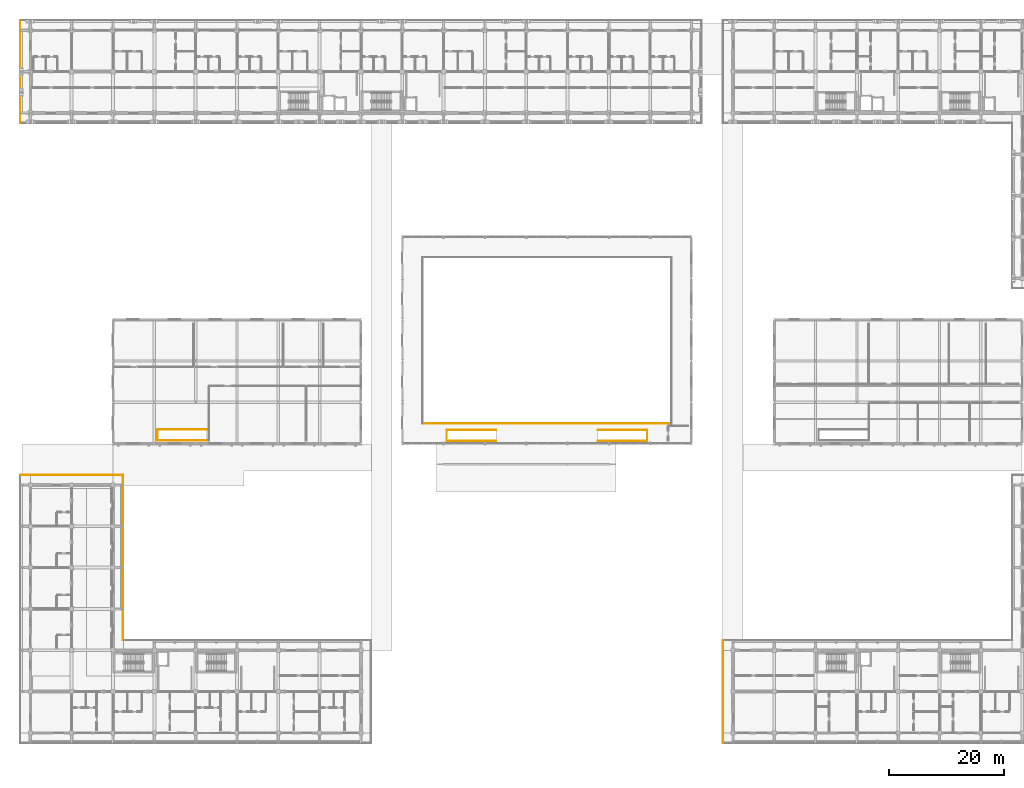
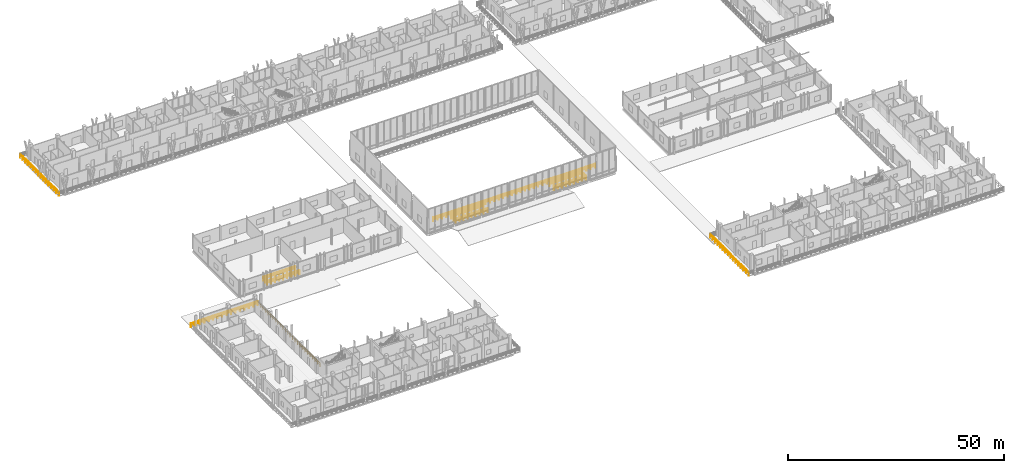
# One storey, part 96 of 110: 14 railings.
"""IFC4 building model written with IfcOpenShell, lengths in metres."""

from ifc_helpers import new_model, si_unit, direction, frame, origin, origin_2d, place, context, subcontext, project, spatial, rectangle, extrude, material, type_object, element, save


model = new_model("IFC4")

# Units and contexts
model_context = context("Model", 3, precision=1e-05, world=origin(), true_north=direction((0.0, 1.0)))
body_context = subcontext(model_context, "Body", "Model", "MODEL_VIEW")
ifc_project = project(units=[si_unit("LENGTHUNIT", "METRE"), si_unit("AREAUNIT", "SQUARE_METRE"), si_unit("VOLUMEUNIT", "CUBIC_METRE"), si_unit("PLANEANGLEUNIT", "RADIAN"), si_unit("MASSUNIT", "GRAM", prefix="KILO")], contexts=[model_context])

# Site, building, storey
site_placement = place(None, origin())
site = spatial("IfcSite", under=ifc_project, at=site_placement, CompositionType="ELEMENT")
building_placement = place(site_placement, origin())
building = spatial("IfcBuilding", under=site, at=building_placement, Name="Suanplinth Sawtooth Commons", CompositionType="ELEMENT")
storey_placement = place(building_placement, frame((0.0, 0.0, 4.5)))
storey = spatial("IfcBuildingStorey", under=building, at=storey_placement, Name="L01", CompositionType="ELEMENT", Elevation=4.5)

# Railings
ifc_material_1 = material(Name="Powder-coated galvanized steel", Category="steel")
railing_type_1 = type_object("IfcRailingType", Name="GR-01", PredefinedType="BALUSTRADE", material=ifc_material_1)
railing_1_placement = place(storey_placement, frame((-1.739990234375, 106.260009765625, 0.0)))
element("IfcRailing", 1, at=railing_1_placement, inside=storey, type_object=railing_type_1, Name="L01 Block A Perimeter Balustrade 1", PredefinedType="BALUSTRADE", context=body_context, shape_type="SweptSolid", body=[
    extrude(rectangle(XDim=0.048095703125, YDim=0.048095703125, at=origin_2d()), frame((0.0, 0.0, 1.09619140625), z_axis=(0.0, 1.0, 0.0), x_axis=(-1.0, 0.0, 0.0)), (0.0, 0.0, 1.0), 17.8798828125),
    extrude(rectangle(XDim=0.03369140625, YDim=0.03369140625, at=origin_2d()), frame((0.0, 0.0, 0.56005859375), z_axis=(0.0, 1.0, 0.0), x_axis=(-1.0, 0.0, 0.0)), (0.0, 0.0, 1.0), 17.8798828125),
    extrude(rectangle(XDim=0.0419921875, YDim=0.0419921875, at=origin_2d()), origin(), (0.0, 0.0, 1.0), 1.072021484375),
    extrude(rectangle(XDim=0.0419921875, YDim=0.0419921875, at=origin_2d()), frame((0.0, 1.19189453125, 0.0)), (0.0, 0.0, 1.0), 1.072021484375),
    extrude(rectangle(XDim=0.0419921875, YDim=0.0419921875, at=origin_2d()), frame((0.0, 2.384033203125, 0.0)), (0.0, 0.0, 1.0), 1.072021484375),
    extrude(rectangle(XDim=0.0419921875, YDim=0.0419921875, at=origin_2d()), frame((0.0, 3.575927734375, 0.0)), (0.0, 0.0, 1.0), 1.072021484375),
    extrude(rectangle(XDim=0.0419921875, YDim=0.0419921875, at=origin_2d()), frame((0.0, 4.76806640625, 0.0)), (0.0, 0.0, 1.0), 1.072021484375),
    extrude(rectangle(XDim=0.0419921875, YDim=0.0419921875, at=origin_2d()), frame((0.0, 5.9599609375, 0.0)), (0.0, 0.0, 1.0), 1.072021484375),
    extrude(rectangle(XDim=0.0419921875, YDim=0.0419921875, at=origin_2d()), frame((0.0, 7.15185546875, 0.0)), (0.0, 0.0, 1.0), 1.072021484375),
    extrude(rectangle(XDim=0.0419921875, YDim=0.0419921875, at=origin_2d()), frame((0.0, 8.343994140625, 0.0)), (0.0, 0.0, 1.0), 1.072021484375),
    extrude(rectangle(XDim=0.0419921875, YDim=0.0419921875, at=origin_2d()), frame((0.0, 9.535888671875, 0.0)), (0.0, 0.0, 1.0), 1.072021484375),
    extrude(rectangle(XDim=0.0419921875, YDim=0.0419921875, at=origin_2d()), frame((0.0, 10.72802734375, 0.0)), (0.0, 0.0, 1.0), 1.072021484375),
    extrude(rectangle(XDim=0.0419921875, YDim=0.0419921875, at=origin_2d()), frame((0.0, 11.919921875, 0.0)), (0.0, 0.0, 1.0), 1.072021484375),
    extrude(rectangle(XDim=0.0419921875, YDim=0.0419921875, at=origin_2d()), frame((0.0, 13.11181640625, 0.0)), (0.0, 0.0, 1.0), 1.072021484375),
    extrude(rectangle(XDim=0.0419921875, YDim=0.0419921875, at=origin_2d()), frame((0.0, 14.303955078125, 0.0)), (0.0, 0.0, 1.0), 1.072021484375),
    extrude(rectangle(XDim=0.0419921875, YDim=0.0419921875, at=origin_2d()), frame((0.0, 15.495849609375, 0.0)), (0.0, 0.0, 1.0), 1.072021484375),
    extrude(rectangle(XDim=0.0419921875, YDim=0.0419921875, at=origin_2d()), frame((0.0, 16.68798828125, 0.0)), (0.0, 0.0, 1.0), 1.072021484375),
    extrude(rectangle(XDim=0.0419921875, YDim=0.0419921875, at=origin_2d()), frame((0.0, 17.8798828125, 0.0)), (0.0, 0.0, 1.0), 1.072021484375),
])
railing_2_placement = place(storey_placement, frame((120.659912109375, -1.739990234375, 0.0)))
element("IfcRailing", 2, at=railing_2_placement, inside=storey, type_object=railing_type_1, Name="L01 Block C Perimeter Balustrade 1", PredefinedType="BALUSTRADE", context=body_context, shape_type="SweptSolid", body=[
    extrude(rectangle(XDim=0.048095703125, YDim=0.048095703125, at=origin_2d()), frame((0.0, 0.0, 1.09619140625), z_axis=(0.0, 1.0, 0.0), x_axis=(-1.0, 0.0, 0.0)), (0.0, 0.0, 1.0), 17.8798828125),
    extrude(rectangle(XDim=0.03369140625, YDim=0.03369140625, at=origin_2d()), frame((0.0, 0.0, 0.56005859375), z_axis=(0.0, 1.0, 0.0), x_axis=(-1.0, 0.0, 0.0)), (0.0, 0.0, 1.0), 17.8798828125),
    extrude(rectangle(XDim=0.0419921875, YDim=0.0419921875, at=origin_2d()), origin(), (0.0, 0.0, 1.0), 1.072021484375),
    extrude(rectangle(XDim=0.0419921875, YDim=0.0419921875, at=origin_2d()), frame((0.0, 1.19189453125, 0.0)), (0.0, 0.0, 1.0), 1.072021484375),
    extrude(rectangle(XDim=0.0419921875, YDim=0.0419921875, at=origin_2d()), frame((0.0, 2.384033203125, 0.0)), (0.0, 0.0, 1.0), 1.072021484375),
    extrude(rectangle(XDim=0.0419921875, YDim=0.0419921875, at=origin_2d()), frame((0.0, 3.575927734375, 0.0)), (0.0, 0.0, 1.0), 1.072021484375),
    extrude(rectangle(XDim=0.0419921875, YDim=0.0419921875, at=origin_2d()), frame((0.0, 4.76806640625, 0.0)), (0.0, 0.0, 1.0), 1.072021484375),
    extrude(rectangle(XDim=0.0419921875, YDim=0.0419921875, at=origin_2d()), frame((0.0, 5.9599609375, 0.0)), (0.0, 0.0, 1.0), 1.072021484375),
    extrude(rectangle(XDim=0.0419921875, YDim=0.0419921875, at=origin_2d()), frame((0.0, 7.15185546875, 0.0)), (0.0, 0.0, 1.0), 1.072021484375),
    extrude(rectangle(XDim=0.0419921875, YDim=0.0419921875, at=origin_2d()), frame((0.0, 8.343994140625, 0.0)), (0.0, 0.0, 1.0), 1.072021484375),
    extrude(rectangle(XDim=0.0419921875, YDim=0.0419921875, at=origin_2d()), frame((0.0, 9.535888671875, 0.0)), (0.0, 0.0, 1.0), 1.072021484375),
    extrude(rectangle(XDim=0.0419921875, YDim=0.0419921875, at=origin_2d()), frame((0.0, 10.72802734375, 0.0)), (0.0, 0.0, 1.0), 1.072021484375),
    extrude(rectangle(XDim=0.0419921875, YDim=0.0419921875, at=origin_2d()), frame((0.0, 11.919921875, 0.0)), (0.0, 0.0, 1.0), 1.072021484375),
    extrude(rectangle(XDim=0.0419921875, YDim=0.0419921875, at=origin_2d()), frame((0.0, 13.11181640625, 0.0)), (0.0, 0.0, 1.0), 1.072021484375),
    extrude(rectangle(XDim=0.0419921875, YDim=0.0419921875, at=origin_2d()), frame((0.0, 14.303955078125, 0.0)), (0.0, 0.0, 1.0), 1.072021484375),
    extrude(rectangle(XDim=0.0419921875, YDim=0.0419921875, at=origin_2d()), frame((0.0, 15.495849609375, 0.0)), (0.0, 0.0, 1.0), 1.072021484375),
    extrude(rectangle(XDim=0.0419921875, YDim=0.0419921875, at=origin_2d()), frame((0.0, 16.68798828125, 0.0)), (0.0, 0.0, 1.0), 1.072021484375),
    extrude(rectangle(XDim=0.0419921875, YDim=0.0419921875, at=origin_2d()), frame((0.0, 17.8798828125, 0.0)), (0.0, 0.0, 1.0), 1.072021484375),
])
railing_3_placement = place(storey_placement, frame((-1.739990234375, 44.93994140625, 0.0)))
element("IfcRailing", 3, at=railing_3_placement, inside=storey, type_object=railing_type_1, Name="L01 Block D Perimeter Balustrade 2", PredefinedType="BALUSTRADE", context=body_context, shape_type="SweptSolid", body=[
    extrude(rectangle(XDim=0.048095703125, YDim=0.048095703125, at=origin_2d()), frame((0.0, 0.0, 1.09619140625), z_axis=(1.0, 0.0, 0.0), x_axis=(0.0, 1.0, 0.0)), (0.0, 0.0, 1.0), 17.8798828125),
    extrude(rectangle(XDim=0.03369140625, YDim=0.03369140625, at=origin_2d()), frame((0.0, 0.0, 0.56005859375), z_axis=(1.0, 0.0, 0.0), x_axis=(0.0, 1.0, 0.0)), (0.0, 0.0, 1.0), 17.8798828125),
    extrude(rectangle(XDim=0.0419921875, YDim=0.0419921875, at=origin_2d()), origin(), (0.0, 0.0, 1.0), 1.072021484375),
    extrude(rectangle(XDim=0.0419921875, YDim=0.0419921875, at=origin_2d()), frame((1.19189453125, 0.0, 0.0)), (0.0, 0.0, 1.0), 1.072021484375),
    extrude(rectangle(XDim=0.0419921875, YDim=0.0419921875, at=origin_2d()), frame((2.384033203125, 0.0, 0.0)), (0.0, 0.0, 1.0), 1.072021484375),
    extrude(rectangle(XDim=0.0419921875, YDim=0.0419921875, at=origin_2d()), frame((3.575927734375, 0.0, 0.0)), (0.0, 0.0, 1.0), 1.072021484375),
    extrude(rectangle(XDim=0.0419921875, YDim=0.0419921875, at=origin_2d()), frame((4.76806640625, 0.0, 0.0)), (0.0, 0.0, 1.0), 1.072021484375),
    extrude(rectangle(XDim=0.0419921875, YDim=0.0419921875, at=origin_2d()), frame((5.9599609375, 0.0, 0.0)), (0.0, 0.0, 1.0), 1.072021484375),
    extrude(rectangle(XDim=0.0419921875, YDim=0.0419921875, at=origin_2d()), frame((7.15185546875, 0.0, 0.0)), (0.0, 0.0, 1.0), 1.072021484375),
    extrude(rectangle(XDim=0.0419921875, YDim=0.0419921875, at=origin_2d()), frame((8.343994140625, 0.0, 0.0)), (0.0, 0.0, 1.0), 1.072021484375),
    extrude(rectangle(XDim=0.0419921875, YDim=0.0419921875, at=origin_2d()), frame((9.535888671875, 0.0, 0.0)), (0.0, 0.0, 1.0), 1.072021484375),
    extrude(rectangle(XDim=0.0419921875, YDim=0.0419921875, at=origin_2d()), frame((10.72802734375, 0.0, 0.0)), (0.0, 0.0, 1.0), 1.072021484375),
    extrude(rectangle(XDim=0.0419921875, YDim=0.0419921875, at=origin_2d()), frame((11.919921875, 0.0, 0.0)), (0.0, 0.0, 1.0), 1.072021484375),
    extrude(rectangle(XDim=0.0419921875, YDim=0.0419921875, at=origin_2d()), frame((13.11181640625, 0.0, 0.0)), (0.0, 0.0, 1.0), 1.072021484375),
    extrude(rectangle(XDim=0.0419921875, YDim=0.0419921875, at=origin_2d()), frame((14.303955078125, 0.0, 0.0)), (0.0, 0.0, 1.0), 1.072021484375),
    extrude(rectangle(XDim=0.0419921875, YDim=0.0419921875, at=origin_2d()), frame((15.495849609375, 0.0, 0.0)), (0.0, 0.0, 1.0), 1.072021484375),
    extrude(rectangle(XDim=0.0419921875, YDim=0.0419921875, at=origin_2d()), frame((16.68798828125, 0.0, 0.0)), (0.0, 0.0, 1.0), 1.072021484375),
    extrude(rectangle(XDim=0.0419921875, YDim=0.0419921875, at=origin_2d()), frame((17.8798828125, 0.0, 0.0)), (0.0, 0.0, 1.0), 1.072021484375),
])
railing_4_placement = place(storey_placement, frame((16.139892578125, 44.93994140625, 0.0)))
element("IfcRailing", 4, at=railing_4_placement, inside=storey, type_object=railing_type_1, Name="L01 Block D Perimeter Balustrade 3", PredefinedType="BALUSTRADE", context=body_context, shape_type="SweptSolid", body=[
    extrude(rectangle(XDim=0.048095703125, YDim=0.048095703125, at=origin_2d()), frame((0.0, 0.0, 1.09619140625), z_axis=(0.0, -1.0, 0.0), x_axis=(1.0, 0.0, 0.0)), (0.0, 0.0, 1.0), 28.800048828125),
    extrude(rectangle(XDim=0.03369140625, YDim=0.03369140625, at=origin_2d()), frame((0.0, 0.0, 0.56005859375), z_axis=(0.0, -1.0, 0.0), x_axis=(1.0, 0.0, 0.0)), (0.0, 0.0, 1.0), 28.800048828125),
    extrude(rectangle(XDim=0.0419921875, YDim=0.0419921875, at=origin_2d()), origin(), (0.0, 0.0, 1.0), 1.072021484375),
    extrude(rectangle(XDim=0.0419921875, YDim=0.0419921875, at=origin_2d()), frame((0.0, -1.152099609375, 0.0)), (0.0, 0.0, 1.0), 1.072021484375),
    extrude(rectangle(XDim=0.0419921875, YDim=0.0419921875, at=origin_2d()), frame((0.0, -2.303955078125, 0.0)), (0.0, 0.0, 1.0), 1.072021484375),
    extrude(rectangle(XDim=0.0419921875, YDim=0.0419921875, at=origin_2d()), frame((0.0, -3.4560546875, 0.0)), (0.0, 0.0, 1.0), 1.072021484375),
    extrude(rectangle(XDim=0.0419921875, YDim=0.0419921875, at=origin_2d()), frame((0.0, -4.60791015625, 0.0)), (0.0, 0.0, 1.0), 1.072021484375),
    extrude(rectangle(XDim=0.0419921875, YDim=0.0419921875, at=origin_2d()), frame((0.0, -5.760009765625, 0.0)), (0.0, 0.0, 1.0), 1.072021484375),
    extrude(rectangle(XDim=0.0419921875, YDim=0.0419921875, at=origin_2d()), frame((0.0, -6.912109375, 0.0)), (0.0, 0.0, 1.0), 1.072021484375),
    extrude(rectangle(XDim=0.0419921875, YDim=0.0419921875, at=origin_2d()), frame((0.0, -8.06396484375, 0.0)), (0.0, 0.0, 1.0), 1.072021484375),
    extrude(rectangle(XDim=0.0419921875, YDim=0.0419921875, at=origin_2d()), frame((0.0, -9.216064453125, 0.0)), (0.0, 0.0, 1.0), 1.072021484375),
    extrude(rectangle(XDim=0.0419921875, YDim=0.0419921875, at=origin_2d()), frame((0.0, -10.367919921875, 0.0)), (0.0, 0.0, 1.0), 1.072021484375),
    extrude(rectangle(XDim=0.0419921875, YDim=0.0419921875, at=origin_2d()), frame((0.0, -11.52001953125, 0.0)), (0.0, 0.0, 1.0), 1.072021484375),
    extrude(rectangle(XDim=0.0419921875, YDim=0.0419921875, at=origin_2d()), frame((0.0, -12.672119140625, 0.0)), (0.0, 0.0, 1.0), 1.072021484375),
    extrude(rectangle(XDim=0.0419921875, YDim=0.0419921875, at=origin_2d()), frame((0.0, -13.823974609375, 0.0)), (0.0, 0.0, 1.0), 1.072021484375),
    extrude(rectangle(XDim=0.0419921875, YDim=0.0419921875, at=origin_2d()), frame((0.0, -14.97607421875, 0.0)), (0.0, 0.0, 1.0), 1.072021484375),
    extrude(rectangle(XDim=0.0419921875, YDim=0.0419921875, at=origin_2d()), frame((0.0, -16.1279296875, 0.0)), (0.0, 0.0, 1.0), 1.072021484375),
    extrude(rectangle(XDim=0.0419921875, YDim=0.0419921875, at=origin_2d()), frame((0.0, -17.280029296875, 0.0)), (0.0, 0.0, 1.0), 1.072021484375),
    extrude(rectangle(XDim=0.0419921875, YDim=0.0419921875, at=origin_2d()), frame((0.0, -18.43212890625, 0.0)), (0.0, 0.0, 1.0), 1.072021484375),
    extrude(rectangle(XDim=0.0419921875, YDim=0.0419921875, at=origin_2d()), frame((0.0, -19.583984375, 0.0)), (0.0, 0.0, 1.0), 1.072021484375),
    extrude(rectangle(XDim=0.0419921875, YDim=0.0419921875, at=origin_2d()), frame((0.0, -20.736083984375, 0.0)), (0.0, 0.0, 1.0), 1.072021484375),
    extrude(rectangle(XDim=0.0419921875, YDim=0.0419921875, at=origin_2d()), frame((0.0, -21.887939453125, 0.0)), (0.0, 0.0, 1.0), 1.072021484375),
    extrude(rectangle(XDim=0.0419921875, YDim=0.0419921875, at=origin_2d()), frame((0.0, -23.0400390625, 0.0)), (0.0, 0.0, 1.0), 1.072021484375),
    extrude(rectangle(XDim=0.0419921875, YDim=0.0419921875, at=origin_2d()), frame((0.0, -24.192138671875, 0.0)), (0.0, 0.0, 1.0), 1.072021484375),
    extrude(rectangle(XDim=0.0419921875, YDim=0.0419921875, at=origin_2d()), frame((0.0, -25.343994140625, 0.0)), (0.0, 0.0, 1.0), 1.072021484375),
    extrude(rectangle(XDim=0.0419921875, YDim=0.0419921875, at=origin_2d()), frame((0.0, -26.49609375, 0.0)), (0.0, 0.0, 1.0), 1.072021484375),
    extrude(rectangle(XDim=0.0419921875, YDim=0.0419921875, at=origin_2d()), frame((0.0, -27.64794921875, 0.0)), (0.0, 0.0, 1.0), 1.072021484375),
    extrude(rectangle(XDim=0.0419921875, YDim=0.0419921875, at=origin_2d()), frame((0.0, -28.800048828125, 0.0)), (0.0, 0.0, 1.0), 1.072021484375),
])
ifc_material_2 = material(Name="Stainless steel Grade 304", Category="steel")
railing_type_2 = type_object("IfcRailingType", Name="GR-04", PredefinedType="GUARDRAIL", material=ifc_material_2)
railing_5_placement = place(storey_placement, frame((81.139892578125, 50.840087890625, 0.0)))
element("IfcRailing", 5, at=railing_5_placement, inside=storey, type_object=railing_type_2, Name="L01 Well Guard Community Hall West Gallery Stair 1", PredefinedType="GUARDRAIL", context=body_context, shape_type="SweptSolid", body=[
    extrude(rectangle(XDim=0.048095703125, YDim=0.048095703125, at=origin_2d()), frame((0.0, 0.0, 1.076171875), z_axis=(-1.0, 0.0, 0.0), x_axis=(0.0, -1.0, 0.0)), (0.0, 0.0, 1.0), 8.599853515625),
    extrude(rectangle(XDim=0.03369140625, YDim=0.03369140625, at=origin_2d()), frame((0.0, 0.0, 0.550048828125), z_axis=(-1.0, 0.0, 0.0), x_axis=(0.0, -1.0, 0.0)), (0.0, 0.0, 1.0), 8.599853515625),
    extrude(rectangle(XDim=0.0419921875, YDim=0.0419921875, at=origin_2d()), origin(), (0.0, 0.0, 1.0), 1.052001953125),
    extrude(rectangle(XDim=0.0419921875, YDim=0.0419921875, at=origin_2d()), frame((-1.074951171875, 0.0, 0.0)), (0.0, 0.0, 1.0), 1.052001953125),
    extrude(rectangle(XDim=0.0419921875, YDim=0.0419921875, at=origin_2d()), frame((-2.14990234375, 0.0, 0.0)), (0.0, 0.0, 1.0), 1.052001953125),
    extrude(rectangle(XDim=0.0419921875, YDim=0.0419921875, at=origin_2d()), frame((-3.224853515625, 0.0, 0.0)), (0.0, 0.0, 1.0), 1.052001953125),
    extrude(rectangle(XDim=0.0419921875, YDim=0.0419921875, at=origin_2d()), frame((-4.2998046875, 0.0, 0.0)), (0.0, 0.0, 1.0), 1.052001953125),
    extrude(rectangle(XDim=0.0419921875, YDim=0.0419921875, at=origin_2d()), frame((-5.375, 0.0, 0.0)), (0.0, 0.0, 1.0), 1.052001953125),
    extrude(rectangle(XDim=0.0419921875, YDim=0.0419921875, at=origin_2d()), frame((-6.449951171875, 0.0, 0.0)), (0.0, 0.0, 1.0), 1.052001953125),
    extrude(rectangle(XDim=0.0419921875, YDim=0.0419921875, at=origin_2d()), frame((-7.52490234375, 0.0, 0.0)), (0.0, 0.0, 1.0), 1.052001953125),
    extrude(rectangle(XDim=0.0419921875, YDim=0.0419921875, at=origin_2d()), frame((-8.599853515625, 0.0, 0.0)), (0.0, 0.0, 1.0), 1.052001953125),
])
railing_6_placement = place(storey_placement, frame((72.5400390625, 50.840087890625, 0.0)))
element("IfcRailing", 6, at=railing_6_placement, inside=storey, type_object=railing_type_2, Name="L01 Well Guard Community Hall West Gallery Stair 2", PredefinedType="GUARDRAIL", context=body_context, shape_type="SweptSolid", body=[
    extrude(rectangle(XDim=0.048095703125, YDim=0.048095703125, at=origin_2d()), frame((0.0, 0.0, 1.076171875), z_axis=(0.0, 1.0, 0.0), x_axis=(-1.0, 0.0, 0.0)), (0.0, 0.0, 1.0), 1.919921875),
    extrude(rectangle(XDim=0.03369140625, YDim=0.03369140625, at=origin_2d()), frame((0.0, 0.0, 0.550048828125), z_axis=(0.0, 1.0, 0.0), x_axis=(-1.0, 0.0, 0.0)), (0.0, 0.0, 1.0), 1.919921875),
    extrude(rectangle(XDim=0.0419921875, YDim=0.0419921875, at=origin_2d()), origin(), (0.0, 0.0, 1.0), 1.052001953125),
    extrude(rectangle(XDim=0.0419921875, YDim=0.0419921875, at=origin_2d()), frame((0.0, 0.9599609375, 0.0)), (0.0, 0.0, 1.0), 1.052001953125),
    extrude(rectangle(XDim=0.0419921875, YDim=0.0419921875, at=origin_2d()), frame((0.0, 1.919921875, 0.0)), (0.0, 0.0, 1.0), 1.052001953125),
])
for number, where, name in (
    (7, (72.5400390625, 52.760009765625, 0.0), "L01 Well Guard Community Hall West Gallery Stair 3"),
    (8, (98.860107421875, 50.840087890625, 0.0), "L01 Well Guard Community Hall East Gallery Stair 1"),
):
    element("IfcRailing", number, at=place(storey_placement, frame(where)), inside=storey, type_object=railing_type_2, Name=name, PredefinedType="GUARDRAIL", context=body_context, shape_type="SweptSolid", body=[
        extrude(rectangle(XDim=0.048095703125, YDim=0.048095703125, at=origin_2d()), frame((0.0, 0.0, 1.076171875), z_axis=(1.0, 0.0, 0.0), x_axis=(0.0, 1.0, 0.0)), (0.0, 0.0, 1.0), 8.599853515625),
        extrude(rectangle(XDim=0.03369140625, YDim=0.03369140625, at=origin_2d()), frame((0.0, 0.0, 0.550048828125), z_axis=(1.0, 0.0, 0.0), x_axis=(0.0, 1.0, 0.0)), (0.0, 0.0, 1.0), 8.599853515625),
        extrude(rectangle(XDim=0.0419921875, YDim=0.0419921875, at=origin_2d()), origin(), (0.0, 0.0, 1.0), 1.052001953125),
        extrude(rectangle(XDim=0.0419921875, YDim=0.0419921875, at=origin_2d()), frame((1.074951171875, 0.0, 0.0)), (0.0, 0.0, 1.0), 1.052001953125),
        extrude(rectangle(XDim=0.0419921875, YDim=0.0419921875, at=origin_2d()), frame((2.14990234375, 0.0, 0.0)), (0.0, 0.0, 1.0), 1.052001953125),
        extrude(rectangle(XDim=0.0419921875, YDim=0.0419921875, at=origin_2d()), frame((3.224853515625, 0.0, 0.0)), (0.0, 0.0, 1.0), 1.052001953125),
        extrude(rectangle(XDim=0.0419921875, YDim=0.0419921875, at=origin_2d()), frame((4.2998046875, 0.0, 0.0)), (0.0, 0.0, 1.0), 1.052001953125),
        extrude(rectangle(XDim=0.0419921875, YDim=0.0419921875, at=origin_2d()), frame((5.375, 0.0, 0.0)), (0.0, 0.0, 1.0), 1.052001953125),
        extrude(rectangle(XDim=0.0419921875, YDim=0.0419921875, at=origin_2d()), frame((6.449951171875, 0.0, 0.0)), (0.0, 0.0, 1.0), 1.052001953125),
        extrude(rectangle(XDim=0.0419921875, YDim=0.0419921875, at=origin_2d()), frame((7.52490234375, 0.0, 0.0)), (0.0, 0.0, 1.0), 1.052001953125),
        extrude(rectangle(XDim=0.0419921875, YDim=0.0419921875, at=origin_2d()), frame((8.599853515625, 0.0, 0.0)), (0.0, 0.0, 1.0), 1.052001953125),
    ])
railing_7_placement = place(storey_placement, frame((107.4599609375, 50.840087890625, 0.0)))
element("IfcRailing", 9, at=railing_7_placement, inside=storey, type_object=railing_type_2, Name="L01 Well Guard Community Hall East Gallery Stair 2", PredefinedType="GUARDRAIL", context=body_context, shape_type="SweptSolid", body=[
    extrude(rectangle(XDim=0.048095703125, YDim=0.048095703125, at=origin_2d()), frame((0.0, 0.0, 1.076171875), z_axis=(0.0, 1.0, 0.0), x_axis=(-1.0, 0.0, 0.0)), (0.0, 0.0, 1.0), 1.919921875),
    extrude(rectangle(XDim=0.03369140625, YDim=0.03369140625, at=origin_2d()), frame((0.0, 0.0, 0.550048828125), z_axis=(0.0, 1.0, 0.0), x_axis=(-1.0, 0.0, 0.0)), (0.0, 0.0, 1.0), 1.919921875),
    extrude(rectangle(XDim=0.0419921875, YDim=0.0419921875, at=origin_2d()), origin(), (0.0, 0.0, 1.0), 1.052001953125),
    extrude(rectangle(XDim=0.0419921875, YDim=0.0419921875, at=origin_2d()), frame((0.0, 0.9599609375, 0.0)), (0.0, 0.0, 1.0), 1.052001953125),
    extrude(rectangle(XDim=0.0419921875, YDim=0.0419921875, at=origin_2d()), frame((0.0, 1.919921875, 0.0)), (0.0, 0.0, 1.0), 1.052001953125),
])
railing_8_placement = place(storey_placement, frame((107.4599609375, 52.760009765625, 0.0)))
element("IfcRailing", 10, at=railing_8_placement, inside=storey, type_object=railing_type_2, Name="L01 Well Guard Community Hall East Gallery Stair 3", PredefinedType="GUARDRAIL", context=body_context, shape_type="SweptSolid", body=[
    extrude(rectangle(XDim=0.048095703125, YDim=0.048095703125, at=origin_2d()), frame((0.0, 0.0, 1.076171875), z_axis=(-1.0, 0.0, 0.0), x_axis=(0.0, -1.0, 0.0)), (0.0, 0.0, 1.0), 8.599853515625),
    extrude(rectangle(XDim=0.03369140625, YDim=0.03369140625, at=origin_2d()), frame((0.0, 0.0, 0.550048828125), z_axis=(-1.0, 0.0, 0.0), x_axis=(0.0, -1.0, 0.0)), (0.0, 0.0, 1.0), 8.599853515625),
    extrude(rectangle(XDim=0.0419921875, YDim=0.0419921875, at=origin_2d()), origin(), (0.0, 0.0, 1.0), 1.052001953125),
    extrude(rectangle(XDim=0.0419921875, YDim=0.0419921875, at=origin_2d()), frame((-1.074951171875, 0.0, 0.0)), (0.0, 0.0, 1.0), 1.052001953125),
    extrude(rectangle(XDim=0.0419921875, YDim=0.0419921875, at=origin_2d()), frame((-2.14990234375, 0.0, 0.0)), (0.0, 0.0, 1.0), 1.052001953125),
    extrude(rectangle(XDim=0.0419921875, YDim=0.0419921875, at=origin_2d()), frame((-3.224853515625, 0.0, 0.0)), (0.0, 0.0, 1.0), 1.052001953125),
    extrude(rectangle(XDim=0.0419921875, YDim=0.0419921875, at=origin_2d()), frame((-4.2998046875, 0.0, 0.0)), (0.0, 0.0, 1.0), 1.052001953125),
    extrude(rectangle(XDim=0.0419921875, YDim=0.0419921875, at=origin_2d()), frame((-5.375, 0.0, 0.0)), (0.0, 0.0, 1.0), 1.052001953125),
    extrude(rectangle(XDim=0.0419921875, YDim=0.0419921875, at=origin_2d()), frame((-6.449951171875, 0.0, 0.0)), (0.0, 0.0, 1.0), 1.052001953125),
    extrude(rectangle(XDim=0.0419921875, YDim=0.0419921875, at=origin_2d()), frame((-7.52490234375, 0.0, 0.0)), (0.0, 0.0, 1.0), 1.052001953125),
    extrude(rectangle(XDim=0.0419921875, YDim=0.0419921875, at=origin_2d()), frame((-8.599853515625, 0.0, 0.0)), (0.0, 0.0, 1.0), 1.052001953125),
])
railing_9_placement = place(storey_placement, frame((30.739990234375, 50.93994140625, 0.0)))
element("IfcRailing", 11, at=railing_9_placement, inside=storey, type_object=railing_type_2, Name="L01 Well Guard West Market Mezzanine Stair 1", PredefinedType="GUARDRAIL", context=body_context, shape_type="SweptSolid", body=[
    extrude(rectangle(XDim=0.048095703125, YDim=0.048095703125, at=origin_2d()), frame((0.0, 0.0, 1.076171875), z_axis=(-1.0, 0.0, 0.0), x_axis=(0.0, -1.0, 0.0)), (0.0, 0.0, 1.0), 8.60009765625),
    extrude(rectangle(XDim=0.03369140625, YDim=0.03369140625, at=origin_2d()), frame((0.0, 0.0, 0.550048828125), z_axis=(-1.0, 0.0, 0.0), x_axis=(0.0, -1.0, 0.0)), (0.0, 0.0, 1.0), 8.60009765625),
    extrude(rectangle(XDim=0.0419921875, YDim=0.0419921875, at=origin_2d()), origin(), (0.0, 0.0, 1.0), 1.052001953125),
    extrude(rectangle(XDim=0.0419921875, YDim=0.0419921875, at=origin_2d()), frame((-1.074951171875, 0.0, 0.0)), (0.0, 0.0, 1.0), 1.052001953125),
    extrude(rectangle(XDim=0.0419921875, YDim=0.0419921875, at=origin_2d()), frame((-2.14990234375, 0.0, 0.0)), (0.0, 0.0, 1.0), 1.052001953125),
    extrude(rectangle(XDim=0.0419921875, YDim=0.0419921875, at=origin_2d()), frame((-3.22509765625, 0.0, 0.0)), (0.0, 0.0, 1.0), 1.052001953125),
    extrude(rectangle(XDim=0.0419921875, YDim=0.0419921875, at=origin_2d()), frame((-4.300048828125, 0.0, 0.0)), (0.0, 0.0, 1.0), 1.052001953125),
    extrude(rectangle(XDim=0.0419921875, YDim=0.0419921875, at=origin_2d()), frame((-5.375, 0.0, 0.0)), (0.0, 0.0, 1.0), 1.052001953125),
    extrude(rectangle(XDim=0.0419921875, YDim=0.0419921875, at=origin_2d()), frame((-6.4501953125, 0.0, 0.0)), (0.0, 0.0, 1.0), 1.052001953125),
    extrude(rectangle(XDim=0.0419921875, YDim=0.0419921875, at=origin_2d()), frame((-7.525146484375, 0.0, 0.0)), (0.0, 0.0, 1.0), 1.052001953125),
    extrude(rectangle(XDim=0.0419921875, YDim=0.0419921875, at=origin_2d()), frame((-8.60009765625, 0.0, 0.0)), (0.0, 0.0, 1.0), 1.052001953125),
])
railing_10_placement = place(storey_placement, frame((22.139892578125, 50.93994140625, 0.0)))
element("IfcRailing", 12, at=railing_10_placement, inside=storey, type_object=railing_type_2, Name="L01 Well Guard West Market Mezzanine Stair 2", PredefinedType="GUARDRAIL", context=body_context, shape_type="SweptSolid", body=[
    extrude(rectangle(XDim=0.048095703125, YDim=0.048095703125, at=origin_2d()), frame((0.0, 0.0, 1.076171875), z_axis=(0.0, 1.0, 0.0), x_axis=(-1.0, 0.0, 0.0)), (0.0, 0.0, 1.0), 1.920166015625),
    extrude(rectangle(XDim=0.03369140625, YDim=0.03369140625, at=origin_2d()), frame((0.0, 0.0, 0.550048828125), z_axis=(0.0, 1.0, 0.0), x_axis=(-1.0, 0.0, 0.0)), (0.0, 0.0, 1.0), 1.920166015625),
    extrude(rectangle(XDim=0.0419921875, YDim=0.0419921875, at=origin_2d()), origin(), (0.0, 0.0, 1.0), 1.052001953125),
    extrude(rectangle(XDim=0.0419921875, YDim=0.0419921875, at=origin_2d()), frame((0.0, 0.9599609375, 0.0)), (0.0, 0.0, 1.0), 1.052001953125),
    extrude(rectangle(XDim=0.0419921875, YDim=0.0419921875, at=origin_2d()), frame((0.0, 1.920166015625, 0.0)), (0.0, 0.0, 1.0), 1.052001953125),
])
railing_11_placement = place(storey_placement, frame((22.139892578125, 52.860107421875, 0.0)))
element("IfcRailing", 13, at=railing_11_placement, inside=storey, type_object=railing_type_2, Name="L01 Well Guard West Market Mezzanine Stair 3", PredefinedType="GUARDRAIL", context=body_context, shape_type="SweptSolid", body=[
    extrude(rectangle(XDim=0.048095703125, YDim=0.048095703125, at=origin_2d()), frame((0.0, 0.0, 1.076171875), z_axis=(1.0, 0.0, 0.0), x_axis=(0.0, 1.0, 0.0)), (0.0, 0.0, 1.0), 8.60009765625),
    extrude(rectangle(XDim=0.03369140625, YDim=0.03369140625, at=origin_2d()), frame((0.0, 0.0, 0.550048828125), z_axis=(1.0, 0.0, 0.0), x_axis=(0.0, 1.0, 0.0)), (0.0, 0.0, 1.0), 8.60009765625),
    extrude(rectangle(XDim=0.0419921875, YDim=0.0419921875, at=origin_2d()), origin(), (0.0, 0.0, 1.0), 1.052001953125),
    extrude(rectangle(XDim=0.0419921875, YDim=0.0419921875, at=origin_2d()), frame((1.074951171875, 0.0, 0.0)), (0.0, 0.0, 1.0), 1.052001953125),
    extrude(rectangle(XDim=0.0419921875, YDim=0.0419921875, at=origin_2d()), frame((2.14990234375, 0.0, 0.0)), (0.0, 0.0, 1.0), 1.052001953125),
    extrude(rectangle(XDim=0.0419921875, YDim=0.0419921875, at=origin_2d()), frame((3.22509765625, 0.0, 0.0)), (0.0, 0.0, 1.0), 1.052001953125),
    extrude(rectangle(XDim=0.0419921875, YDim=0.0419921875, at=origin_2d()), frame((4.300048828125, 0.0, 0.0)), (0.0, 0.0, 1.0), 1.052001953125),
    extrude(rectangle(XDim=0.0419921875, YDim=0.0419921875, at=origin_2d()), frame((5.375, 0.0, 0.0)), (0.0, 0.0, 1.0), 1.052001953125),
    extrude(rectangle(XDim=0.0419921875, YDim=0.0419921875, at=origin_2d()), frame((6.4501953125, 0.0, 0.0)), (0.0, 0.0, 1.0), 1.052001953125),
    extrude(rectangle(XDim=0.0419921875, YDim=0.0419921875, at=origin_2d()), frame((7.525146484375, 0.0, 0.0)), (0.0, 0.0, 1.0), 1.052001953125),
    extrude(rectangle(XDim=0.0419921875, YDim=0.0419921875, at=origin_2d()), frame((8.60009765625, 0.0, 0.0)), (0.0, 0.0, 1.0), 1.052001953125),
])
railing_12_placement = place(storey_placement, frame((68.320068359375, 53.919921875, 0.0)))
element("IfcRailing", 14, at=railing_12_placement, inside=storey, type_object=railing_type_2, Name="L01 Community Hall Reading Gallery Guardrail 1", PredefinedType="GUARDRAIL", context=body_context, shape_type="SweptSolid", body=[
    extrude(rectangle(XDim=0.048095703125, YDim=0.048095703125, at=origin_2d()), frame((0.0, 0.0, 1.076171875), z_axis=(1.0, 0.0, 0.0), x_axis=(0.0, 1.0, 0.0)), (0.0, 0.0, 1.0), 43.35986328125),
    extrude(rectangle(XDim=0.03369140625, YDim=0.03369140625, at=origin_2d()), frame((0.0, 0.0, 0.550048828125), z_axis=(1.0, 0.0, 0.0), x_axis=(0.0, 1.0, 0.0)), (0.0, 0.0, 1.0), 43.35986328125),
    extrude(rectangle(XDim=0.0419921875, YDim=0.0419921875, at=origin_2d()), origin(), (0.0, 0.0, 1.0), 1.052001953125),
    extrude(rectangle(XDim=0.0419921875, YDim=0.0419921875, at=origin_2d()), frame((1.171875, 0.0, 0.0)), (0.0, 0.0, 1.0), 1.052001953125),
    extrude(rectangle(XDim=0.0419921875, YDim=0.0419921875, at=origin_2d()), frame((2.34375, 0.0, 0.0)), (0.0, 0.0, 1.0), 1.052001953125),
    extrude(rectangle(XDim=0.0419921875, YDim=0.0419921875, at=origin_2d()), frame((3.515625, 0.0, 0.0)), (0.0, 0.0, 1.0), 1.052001953125),
    extrude(rectangle(XDim=0.0419921875, YDim=0.0419921875, at=origin_2d()), frame((4.6875, 0.0, 0.0)), (0.0, 0.0, 1.0), 1.052001953125),
    extrude(rectangle(XDim=0.0419921875, YDim=0.0419921875, at=origin_2d()), frame((5.859375, 0.0, 0.0)), (0.0, 0.0, 1.0), 1.052001953125),
    extrude(rectangle(XDim=0.0419921875, YDim=0.0419921875, at=origin_2d()), frame((7.03125, 0.0, 0.0)), (0.0, 0.0, 1.0), 1.052001953125),
    extrude(rectangle(XDim=0.0419921875, YDim=0.0419921875, at=origin_2d()), frame((8.203125, 0.0, 0.0)), (0.0, 0.0, 1.0), 1.052001953125),
    extrude(rectangle(XDim=0.0419921875, YDim=0.0419921875, at=origin_2d()), frame((9.375, 0.0, 0.0)), (0.0, 0.0, 1.0), 1.052001953125),
    extrude(rectangle(XDim=0.0419921875, YDim=0.0419921875, at=origin_2d()), frame((10.546875, 0.0, 0.0)), (0.0, 0.0, 1.0), 1.052001953125),
    extrude(rectangle(XDim=0.0419921875, YDim=0.0419921875, at=origin_2d()), frame((11.718994140625, 0.0, 0.0)), (0.0, 0.0, 1.0), 1.052001953125),
    extrude(rectangle(XDim=0.0419921875, YDim=0.0419921875, at=origin_2d()), frame((12.890869140625, 0.0, 0.0)), (0.0, 0.0, 1.0), 1.052001953125),
    extrude(rectangle(XDim=0.0419921875, YDim=0.0419921875, at=origin_2d()), frame((14.062744140625, 0.0, 0.0)), (0.0, 0.0, 1.0), 1.052001953125),
    extrude(rectangle(XDim=0.0419921875, YDim=0.0419921875, at=origin_2d()), frame((15.234619140625, 0.0, 0.0)), (0.0, 0.0, 1.0), 1.052001953125),
    extrude(rectangle(XDim=0.0419921875, YDim=0.0419921875, at=origin_2d()), frame((16.406494140625, 0.0, 0.0)), (0.0, 0.0, 1.0), 1.052001953125),
    extrude(rectangle(XDim=0.0419921875, YDim=0.0419921875, at=origin_2d()), frame((17.578369140625, 0.0, 0.0)), (0.0, 0.0, 1.0), 1.052001953125),
    extrude(rectangle(XDim=0.0419921875, YDim=0.0419921875, at=origin_2d()), frame((18.750244140625, 0.0, 0.0)), (0.0, 0.0, 1.0), 1.052001953125),
    extrude(rectangle(XDim=0.0419921875, YDim=0.0419921875, at=origin_2d()), frame((19.922119140625, 0.0, 0.0)), (0.0, 0.0, 1.0), 1.052001953125),
    extrude(rectangle(XDim=0.0419921875, YDim=0.0419921875, at=origin_2d()), frame((21.093994140625, 0.0, 0.0)), (0.0, 0.0, 1.0), 1.052001953125),
    extrude(rectangle(XDim=0.0419921875, YDim=0.0419921875, at=origin_2d()), frame((22.265869140625, 0.0, 0.0)), (0.0, 0.0, 1.0), 1.052001953125),
    extrude(rectangle(XDim=0.0419921875, YDim=0.0419921875, at=origin_2d()), frame((23.437744140625, 0.0, 0.0)), (0.0, 0.0, 1.0), 1.052001953125),
    extrude(rectangle(XDim=0.0419921875, YDim=0.0419921875, at=origin_2d()), frame((24.609619140625, 0.0, 0.0)), (0.0, 0.0, 1.0), 1.052001953125),
    extrude(rectangle(XDim=0.0419921875, YDim=0.0419921875, at=origin_2d()), frame((25.781494140625, 0.0, 0.0)), (0.0, 0.0, 1.0), 1.052001953125),
    extrude(rectangle(XDim=0.0419921875, YDim=0.0419921875, at=origin_2d()), frame((26.953369140625, 0.0, 0.0)), (0.0, 0.0, 1.0), 1.052001953125),
    extrude(rectangle(XDim=0.0419921875, YDim=0.0419921875, at=origin_2d()), frame((28.125244140625, 0.0, 0.0)), (0.0, 0.0, 1.0), 1.052001953125),
    extrude(rectangle(XDim=0.0419921875, YDim=0.0419921875, at=origin_2d()), frame((29.297119140625, 0.0, 0.0)), (0.0, 0.0, 1.0), 1.052001953125),
    extrude(rectangle(XDim=0.0419921875, YDim=0.0419921875, at=origin_2d()), frame((30.468994140625, 0.0, 0.0)), (0.0, 0.0, 1.0), 1.052001953125),
    extrude(rectangle(XDim=0.0419921875, YDim=0.0419921875, at=origin_2d()), frame((31.640869140625, 0.0, 0.0)), (0.0, 0.0, 1.0), 1.052001953125),
    extrude(rectangle(XDim=0.0419921875, YDim=0.0419921875, at=origin_2d()), frame((32.81298828125, 0.0, 0.0)), (0.0, 0.0, 1.0), 1.052001953125),
    extrude(rectangle(XDim=0.0419921875, YDim=0.0419921875, at=origin_2d()), frame((33.98486328125, 0.0, 0.0)), (0.0, 0.0, 1.0), 1.052001953125),
    extrude(rectangle(XDim=0.0419921875, YDim=0.0419921875, at=origin_2d()), frame((35.15673828125, 0.0, 0.0)), (0.0, 0.0, 1.0), 1.052001953125),
    extrude(rectangle(XDim=0.0419921875, YDim=0.0419921875, at=origin_2d()), frame((36.32861328125, 0.0, 0.0)), (0.0, 0.0, 1.0), 1.052001953125),
    extrude(rectangle(XDim=0.0419921875, YDim=0.0419921875, at=origin_2d()), frame((37.50048828125, 0.0, 0.0)), (0.0, 0.0, 1.0), 1.052001953125),
    extrude(rectangle(XDim=0.0419921875, YDim=0.0419921875, at=origin_2d()), frame((38.67236328125, 0.0, 0.0)), (0.0, 0.0, 1.0), 1.052001953125),
    extrude(rectangle(XDim=0.0419921875, YDim=0.0419921875, at=origin_2d()), frame((39.84423828125, 0.0, 0.0)), (0.0, 0.0, 1.0), 1.052001953125),
    extrude(rectangle(XDim=0.0419921875, YDim=0.0419921875, at=origin_2d()), frame((41.01611328125, 0.0, 0.0)), (0.0, 0.0, 1.0), 1.052001953125),
    extrude(rectangle(XDim=0.0419921875, YDim=0.0419921875, at=origin_2d()), frame((42.18798828125, 0.0, 0.0)), (0.0, 0.0, 1.0), 1.052001953125),
    extrude(rectangle(XDim=0.0419921875, YDim=0.0419921875, at=origin_2d()), frame((43.35986328125, 0.0, 0.0)), (0.0, 0.0, 1.0), 1.052001953125),
])

save(model, "model.ifc")
